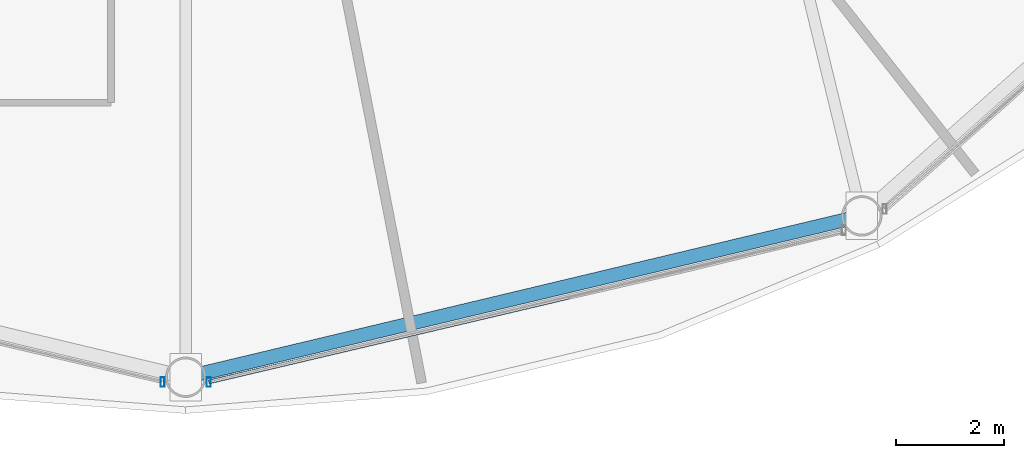
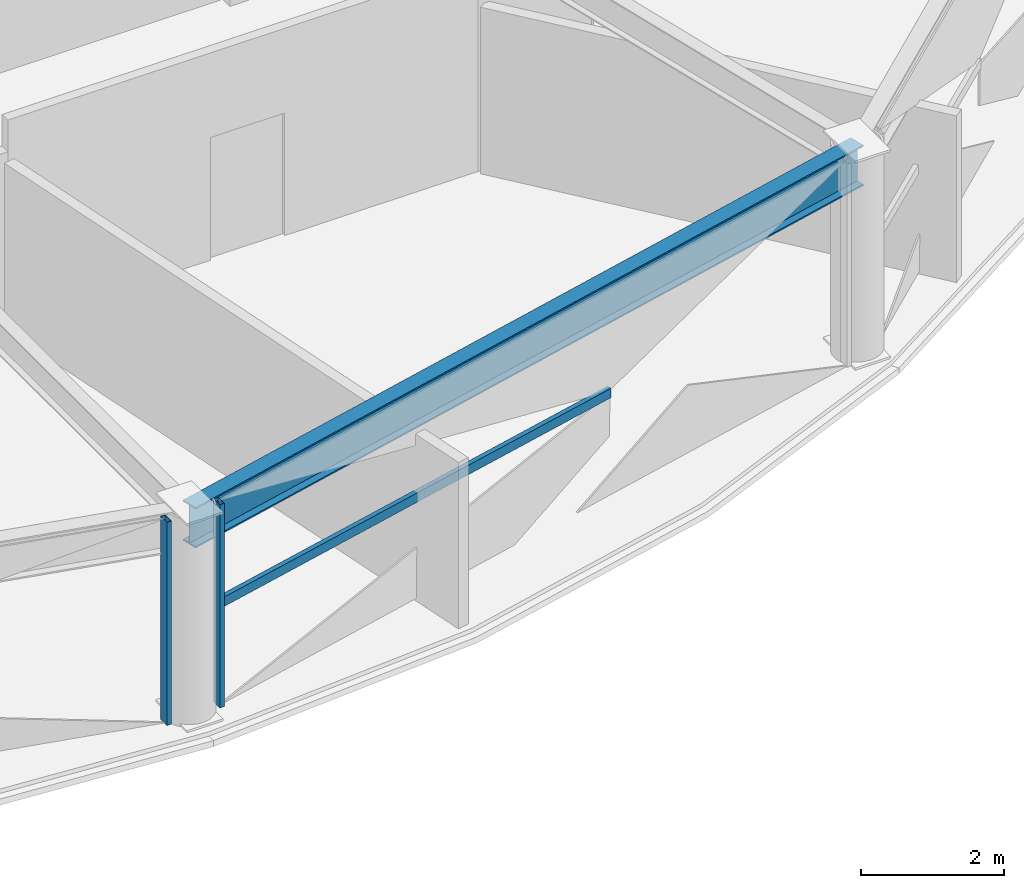
# One storey, part 5 of 30: 3 members, 1 beam, 2 elements without a shape of their own.
"""IFC4 building model written with IfcOpenShell, lengths in metres."""

from ifc_helpers import new_model, si_unit, direction, frame, origin, origin_2d, place, context, subcontext, project, spatial, hollow_rectangle, i_section, extrude, material, layer, layer_set, material_profile, profile_set, type_object, element, aggregate, save


model = new_model("IFC4")

# Units and contexts
model_context = context("Model", 3, precision=1e-05, world=origin(), true_north=direction((0.0, 1.0)))
body_context = subcontext(model_context, "Body", "Model", "MODEL_VIEW")
ifc_project = project(units=[si_unit("LENGTHUNIT", "METRE"), si_unit("AREAUNIT", "SQUARE_METRE"), si_unit("VOLUMEUNIT", "CUBIC_METRE"), si_unit("PLANEANGLEUNIT", "RADIAN"), si_unit("MASSUNIT", "GRAM", prefix="KILO")], contexts=[model_context])

# Site, building, storey
site_placement = place(None, origin())
site = spatial("IfcSite", under=ifc_project, at=site_placement, CompositionType="ELEMENT")
building_placement = place(site_placement, origin())
building = spatial("IfcBuilding", under=site, at=building_placement, Name="Vantalir Tower", CompositionType="ELEMENT")
storey_placement = place(building_placement, frame((0.0, 0.0, 130.949951171875)))
storey = spatial("IfcBuildingStorey", under=building, at=storey_placement, Name="L32", CompositionType="ELEMENT", Elevation=130.949951171875)

# Beam
ifc_material_1 = material(Name="Steel S460", Category="steel")
ifc_material_profile_1 = material_profile(ifc_material_1, i_section(OverallWidth=0.256103515625, OverallDepth=0.693115234375, WebThickness=0.014404296875, FlangeThickness=0.023681640625, at=origin_2d()), Name="Steel S460")
ifc_profile_set_1 = profile_set([ifc_material_profile_1], Name="Steel S460")
beam_type = type_object("IfcBeamType", Name="BM-RG-686x254", PredefinedType="USERDEFINED", material=ifc_profile_set_1)
beam_placement = place(storey_placement, frame((31.5, 2.655029296875, 3.22412109375), z_axis=(0.972692782587, 0.232096425444, 0.0), x_axis=(-0.232096425444, 0.972692782587, 0.0)))
element("IfcBeam", 1, at=beam_placement, inside=storey, type_object=beam_type, Name="L32 Circumferential Ring Girder 10", ObjectType="GIRDER", PredefinedType="USERDEFINED", context=body_context, shape_type="SweptSolid", body=[
    extrude(i_section(OverallWidth=0.256103515625, OverallDepth=0.693115234375, WebThickness=0.014404296875, FlangeThickness=0.023681640625, at=origin_2d()), origin(), (0.0, 0.0, 1.0), 12.8994140625),
])

# Curtain wall, member
ifc_material_2 = material(Name="Champagne-silver PVDF aluminium and double-silver Low-E glass", Category="aluminium")
ifc_layer = layer(ifc_material_2, 0.199951171875)
ifc_layer_set = layer_set([ifc_layer], Name="Champagne-silver PVDF aluminium and double-silver Low-E glass")
curtain_wall_type = type_object("IfcCurtainWallType", Name="CW-DIAMOND-Z2", PredefinedType="USERDEFINED", material=ifc_layer_set)
curtain_wall_1_placement = place(storey_placement, origin())
curtain_wall_1 = element("IfcCurtainWall", 2, at=curtain_wall_1_placement, inside=storey, type_object=curtain_wall_type, Name="L32 Quilted Pyramid-Diamond Curtain Wall S09", ObjectType="UNITISED CURTAIN WALL", PredefinedType="USERDEFINED")
ifc_material_3 = material(Name="Champagne-silver PVDF aluminium 6063-T6", Category="aluminium")
ifc_material_profile_2 = material_profile(ifc_material_3, hollow_rectangle(XDim=0.074951171875, YDim=0.179931640625, WallThickness=0.00390625, at=origin_2d()), Name="Champagne-silver PVDF aluminium 6063-T6")
ifc_profile_set_2 = profile_set([ifc_material_profile_2], Name="Champagne-silver PVDF aluminium 6063-T6")
member_type_1 = type_object("IfcMemberType", Name="CWM-180x75", PredefinedType="MULLION", material=ifc_profile_set_2)
member_1_placement = place(storey_placement, frame((31.072021484375, 2.56689453125, 0.045166015625), z_axis=(0.0, 0.0, 1.0), x_axis=(1.0, 0.0, 0.0)))
member_1 = element("IfcMember", 3, at=member_1_placement, type_object=member_type_1, Name="CW-L32-S09 Mullion 2", PredefinedType="MULLION", context=body_context, shape_type="SweptSolid", body=[
    extrude(hollow_rectangle(XDim=0.074951171875, YDim=0.179931640625, WallThickness=0.00390625, at=origin_2d()), origin(), (0.0, 0.0, 1.0), 3.47998046875),
])
aggregate(curtain_wall_1, [member_1])

# Curtain wall, members
curtain_wall_2_placement = place(storey_placement, origin())
curtain_wall_2 = element("IfcCurtainWall", 4, at=curtain_wall_2_placement, inside=storey, type_object=curtain_wall_type, Name="L32 Quilted Pyramid-Diamond Curtain Wall S10", ObjectType="UNITISED CURTAIN WALL", PredefinedType="USERDEFINED")
member_2_placement = place(storey_placement, frame((31.927978515625, 2.56689453125, 0.045166015625), z_axis=(0.0, 0.0, 1.0), x_axis=(1.0, 0.0, 0.0)))
member_2 = element("IfcMember", 5, at=member_2_placement, type_object=member_type_1, Name="CW-L32-S10 Mullion 1", PredefinedType="MULLION", context=body_context, shape_type="SweptSolid", body=[
    extrude(hollow_rectangle(XDim=0.074951171875, YDim=0.179931640625, WallThickness=0.00390625, at=origin_2d()), origin(), (0.0, 0.0, 1.0), 3.47998046875),
])
ifc_material_profile_3 = material_profile(ifc_material_3, hollow_rectangle(XDim=0.074951171875, YDim=0.159912109375, WallThickness=0.00390625, at=origin_2d()), Name="Champagne-silver PVDF aluminium 6063-T6")
ifc_profile_set_3 = profile_set([ifc_material_profile_3], Name="Champagne-silver PVDF aluminium 6063-T6")
member_type_2 = type_object("IfcMemberType", Name="CWT-160x75", PredefinedType="USERDEFINED", material=ifc_profile_set_3)
member_3_placement = place(storey_placement, frame((31.927978515625, 2.56689453125, 1.78515625), z_axis=(0.973365171563, 0.229260207598, 0.0), x_axis=(-0.229260207598, 0.973365171563, 0.0)))
member_3 = element("IfcMember", 6, at=member_3_placement, type_object=member_type_2, Name="CW-L32-S10 Pyramid Fold Ridge Transom", ObjectType="TRANSOM", PredefinedType="USERDEFINED", context=body_context, shape_type="SweptSolid", body=[
    extrude(hollow_rectangle(XDim=0.074951171875, YDim=0.159912109375, WallThickness=0.00390625, at=origin_2d()), origin(), (0.0, 0.0, 1.0), 7.51611328125),
])
aggregate(curtain_wall_2, [member_2, member_3])

save(model, "model.ifc")
